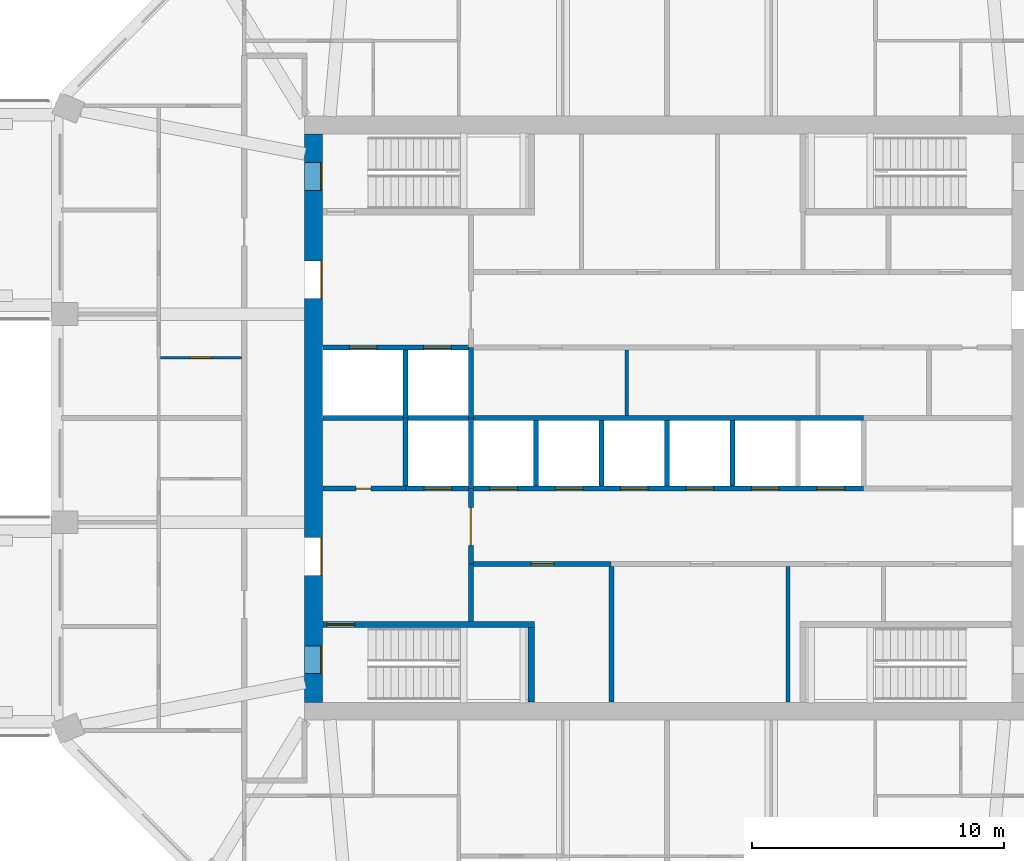
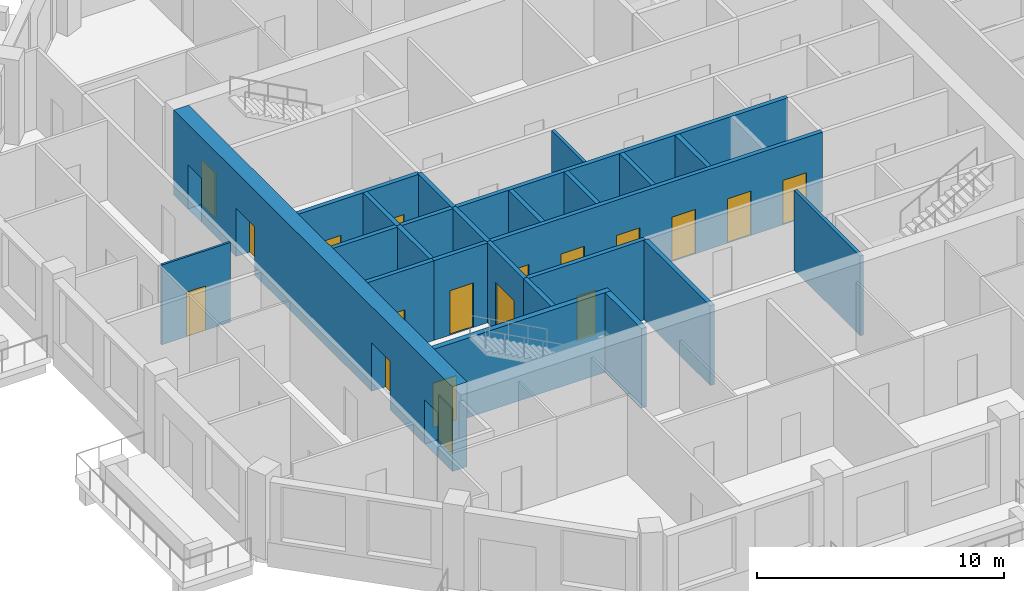
# One storey, part 4 of 12: 22 walls, 18 doors, 18 openings.
"""IFC4 building model written with IfcOpenShell, lengths in metres."""

from ifc_helpers import new_model, si_unit, direction, frame, frame_2d, origin, place, context, subcontext, project, spatial, rectangle, extrude, material, layer, layer_set, type_object, element, fill, save


model = new_model("IFC4")

# Units and contexts
model_context = context("Model", 3, precision=1e-05, world=origin(), true_north=direction((0.0, 1.0)))
body_context = subcontext(model_context, "Body", "Model", "MODEL_VIEW")
ifc_project = project(units=[si_unit("LENGTHUNIT", "METRE"), si_unit("AREAUNIT", "SQUARE_METRE"), si_unit("VOLUMEUNIT", "CUBIC_METRE"), si_unit("PLANEANGLEUNIT", "RADIAN"), si_unit("MASSUNIT", "GRAM", prefix="KILO")], contexts=[model_context])

# Site, building, storey
site_placement = place(None, origin())
site = spatial("IfcSite", under=ifc_project, at=site_placement, CompositionType="ELEMENT")
building_placement = place(site_placement, origin())
building = spatial("IfcBuilding", under=site, at=building_placement, Name="Msitu Wima Residences", CompositionType="ELEMENT")
storey_placement = place(building_placement, frame((0.0, 0.0, 166.5)))
storey = spatial("IfcBuildingStorey", under=building, at=storey_placement, Name="L38", CompositionType="ELEMENT", Elevation=166.5)

# Wall, openings, doors
ifc_material_1 = material(Name="Concrete C60/75", Category="concrete")
ifc_layer_1 = layer(ifc_material_1, 0.699951171875)
ifc_layer_set_1 = layer_set([ifc_layer_1], Name="Concrete C60/75")
wall_type_1 = type_object("IfcWallType", Name="Core wall CW700 C60/75", PredefinedType="SHEAR", material=ifc_layer_set_1)
wall_1_placement = place(storey_placement, frame((-14.050048828125, -11.300048828125, 0.0), z_axis=(0.0, 0.0, 1.0), x_axis=(0.0, 1.0, 0.0)))
wall_1 = element("IfcWall", 1, at=wall_1_placement, inside=storey, type_object=wall_type_1, Name="Core wall", PredefinedType="SHEAR", context=body_context, shape_type="SweptSolid", body=[
    extrude(rectangle(XDim=22.60009765625, YDim=0.699951171875, at=frame_2d((11.300048828125, 0.0))), origin(), (0.0, 0.0, 1.0), 4.199951171875),
])
opening_1_placement = place(wall_1_placement, frame((20.35009765625, 0.0, 0.0)))
opening_1 = element("IfcOpeningElement", 2, at=opening_1_placement, cuts=wall_1, Name="Opening D38-39.080", PredefinedType="OPENING", context=body_context, shape_type="SweptSolid", body=[
    extrude(rectangle(XDim=1.10009765625, YDim=2.199951171875, at=frame_2d((0.550048828125, 1.10009765625))), frame((0.0, 0.35986328125, 0.0), z_axis=(0.0, -1.0, 0.0), x_axis=(1.0, 0.0, 0.0)), (0.0, 0.0, 1.0), 0.719970703125),
])
opening_2_placement = place(wall_1_placement, frame((1.14990234375, 0.0, 0.0)))
opening_2 = element("IfcOpeningElement", 3, at=opening_2_placement, cuts=wall_1, Name="Opening D38-39.082", PredefinedType="OPENING", context=body_context, shape_type="SweptSolid", body=[
    extrude(rectangle(XDim=1.10009765625, YDim=2.199951171875, at=frame_2d((0.550048828125, 1.10009765625))), frame((0.0, 0.35986328125, 0.0), z_axis=(0.0, -1.0, 0.0), x_axis=(1.0, 0.0, 0.0)), (0.0, 0.0, 1.0), 0.719970703125),
])
opening_3_placement = place(wall_1_placement, frame((16.050048828125, 0.0, 0.0)))
opening_3 = element("IfcOpeningElement", 4, at=opening_3_placement, cuts=wall_1, Name="Opening D38-39.060", PredefinedType="OPENING", context=body_context, shape_type="SweptSolid", body=[
    extrude(rectangle(XDim=1.5, YDim=2.39990234375, at=frame_2d((0.75, 1.199951171875))), frame((0.0, 0.35986328125, 0.0), z_axis=(0.0, -1.0, 0.0), x_axis=(1.0, 0.0, 0.0)), (0.0, 0.0, 1.0), 0.719970703125),
])
opening_4_placement = place(wall_1_placement, frame((5.050048828125, 0.0, 0.0)))
opening_4 = element("IfcOpeningElement", 5, at=opening_4_placement, cuts=wall_1, Name="Opening D38-39.062", PredefinedType="OPENING", context=body_context, shape_type="SweptSolid", body=[
    extrude(rectangle(XDim=1.5, YDim=2.39990234375, at=frame_2d((0.75, 1.199951171875))), frame((0.0, 0.35986328125, 0.0), z_axis=(0.0, -1.0, 0.0), x_axis=(1.0, 0.0, 0.0)), (0.0, 0.0, 1.0), 0.719970703125),
])
ifc_material_2 = material(Name="Steel framed glazed door, fire resisting", Category="steel")
door_type_1 = type_object("IfcDoorType", Name="Lobby door D07 1500x2400", OperationType="DOUBLE_DOOR_SINGLE_SWING", PredefinedType="DOOR", material=ifc_material_2)
door_1_placement = place(opening_3_placement, origin())
door_1 = element("IfcDoor", 6, at=door_1_placement, inside=storey, type_object=door_type_1, Name="Lobby door", OperationType="DOUBLE_DOOR_SINGLE_SWING", OverallHeight=2.39990234375, OverallWidth=1.5, PredefinedType="DOOR", context=body_context, shape_type="SweptSolid", body=[
    extrude(rectangle(XDim=1.5, YDim=2.39990234375, at=frame_2d((0.75, 1.199951171875))), frame((0.0, -0.294921875, 0.0), z_axis=(0.0, -1.0, 0.0), x_axis=(1.0, 0.0, 0.0)), (0.0, 0.0, 1.0), 0.050048828125),
])
fill(opening_3, door_1)
door_2_placement = place(opening_4_placement, origin())
door_2 = element("IfcDoor", 7, at=door_2_placement, inside=storey, type_object=door_type_1, Name="Lobby door", OperationType="DOUBLE_DOOR_SINGLE_SWING", OverallHeight=2.39990234375, OverallWidth=1.5, PredefinedType="DOOR", context=body_context, shape_type="SweptSolid", body=[
    extrude(rectangle(XDim=1.5, YDim=2.39990234375, at=frame_2d((0.75, 1.199951171875))), frame((0.0, -0.294921875, 0.0), z_axis=(0.0, -1.0, 0.0), x_axis=(1.0, 0.0, 0.0)), (0.0, 0.0, 1.0), 0.050048828125),
])
fill(opening_4, door_2)
ifc_material_3 = material(Name="Steel door, fire resisting, panic bar", Category="steel")
door_type_2 = type_object("IfcDoorType", Name="Stair door D06 1100x2200", OperationType="SINGLE_SWING_LEFT", PredefinedType="DOOR", material=ifc_material_3)
door_3_placement = place(opening_1_placement, origin())
door_3 = element("IfcDoor", 8, at=door_3_placement, inside=storey, type_object=door_type_2, Name="Stair door", OperationType="SINGLE_SWING_RIGHT", OverallHeight=2.199951171875, OverallWidth=1.10009765625, PredefinedType="DOOR", context=body_context, shape_type="SweptSolid", body=[
    extrude(rectangle(XDim=1.10009765625, YDim=2.199951171875, at=frame_2d((0.550048828125, 1.10009765625))), frame((0.0, -0.294921875, 0.0), z_axis=(0.0, -1.0, 0.0), x_axis=(1.0, 0.0, 0.0)), (0.0, 0.0, 1.0), 0.050048828125),
])
fill(opening_1, door_3)
door_4_placement = place(opening_2_placement, origin())
door_4 = element("IfcDoor", 9, at=door_4_placement, inside=storey, type_object=door_type_2, Name="Stair door", OperationType="SINGLE_SWING_LEFT", OverallHeight=2.199951171875, OverallWidth=1.10009765625, PredefinedType="DOOR", context=body_context, shape_type="SweptSolid", body=[
    extrude(rectangle(XDim=1.10009765625, YDim=2.199951171875, at=frame_2d((0.550048828125, 1.10009765625))), frame((0.0, -0.294921875, 0.0), z_axis=(0.0, -1.0, 0.0), x_axis=(1.0, 0.0, 0.0)), (0.0, 0.0, 1.0), 0.050048828125),
])
fill(opening_2, door_4)

# Wall, opening, door
ifc_material_4 = material(Name="Plaster")
ifc_layer_2 = layer(ifc_material_4, 0.011962890625, Name="Plaster")
ifc_material_5 = material(Name="Concrete blockwork", Category="masonry")
ifc_layer_3 = layer(ifc_material_5, 0.176025390625, Name="Concrete blockwork")
ifc_layer_4 = layer(ifc_material_4, 0.011962890625, Name="Plaster")
ifc_layer_set_2 = layer_set([ifc_layer_2, ifc_layer_3, ifc_layer_4], Name="Concrete blockwork")
wall_type_2 = type_object("IfcWallType", Name="Corridor wall FW200", PredefinedType="PARTITIONING", material=ifc_layer_set_2)
wall_2_placement = place(storey_placement, frame((-7.800048828125, -5.800048828125, 0.0), z_axis=(0.0, 0.0, 1.0), x_axis=(0.0, 1.0, 0.0)))
wall_2 = element("IfcWall", 10, at=wall_2_placement, inside=storey, type_object=wall_type_2, Name="Corridor wall", PredefinedType="PARTITIONING", context=body_context, shape_type="SweptSolid", body=[
    extrude(rectangle(XDim=3.0, YDim=0.199951171875, at=frame_2d((1.5, 0.0))), origin(), (0.0, 0.0, 1.0), 3.949951171875),
])
opening_5_placement = place(wall_2_placement, frame((0.75, 0.0, 0.0)))
opening_5 = element("IfcOpeningElement", 11, at=opening_5_placement, cuts=wall_2, Name="Opening D38-39.063", PredefinedType="OPENING", context=body_context, shape_type="SweptSolid", body=[
    extrude(rectangle(XDim=1.5, YDim=2.39990234375, at=frame_2d((0.75, 1.199951171875))), frame((0.0, 0.10986328125, 0.0), z_axis=(0.0, -1.0, 0.0), x_axis=(1.0, 0.0, 0.0)), (0.0, 0.0, 1.0), 0.219970703125),
])
door_5_placement = place(opening_5_placement, origin())
door_5 = element("IfcDoor", 12, at=door_5_placement, inside=storey, type_object=door_type_1, Name="Lobby door", OperationType="DOUBLE_DOOR_SINGLE_SWING", OverallHeight=2.39990234375, OverallWidth=1.5, PredefinedType="DOOR", context=body_context, shape_type="SweptSolid", body=[
    extrude(rectangle(XDim=1.5, YDim=2.39990234375, at=frame_2d((0.75, 1.199951171875))), frame((0.0, 0.02490234375, 0.0), z_axis=(0.0, -1.0, 0.0), x_axis=(1.0, 0.0, 0.0)), (0.0, 0.0, 1.0), 0.050048828125),
])
fill(opening_5, door_5)

# Walls
ifc_layer_5 = layer(ifc_material_4, 0.011962890625, Name="Plaster")
ifc_layer_6 = layer(ifc_material_5, 0.1259765625, Name="Concrete blockwork")
ifc_layer_7 = layer(ifc_material_4, 0.011962890625, Name="Plaster")
ifc_layer_set_3 = layer_set([ifc_layer_5, ifc_layer_6, ifc_layer_7], Name="Concrete blockwork")
wall_type_3 = type_object("IfcWallType", Name="Partition PW150", PredefinedType="PARTITIONING", material=ifc_layer_set_3)
wall_3_placement = place(storey_placement, frame((-1.60009765625, 0.10009765625, 0.0), z_axis=(0.0, 0.0, 1.0), x_axis=(0.0, 1.0, 0.0)))
element("IfcWall", 13, at=wall_3_placement, inside=storey, type_object=wall_type_3, Name="Partition", PredefinedType="PARTITIONING", context=body_context, shape_type="SweptSolid", body=[
    extrude(rectangle(XDim=2.599853515625, YDim=0.14990234375, at=frame_2d((1.2998046875, 0.0))), origin(), (0.0, 0.0, 1.0), 3.949951171875),
])
wall_4_placement = place(storey_placement, frame((4.800048828125, -11.27001953125, 0.0), z_axis=(0.0, 0.0, 1.0), x_axis=(0.0, 1.0, 0.0)))
element("IfcWall", 14, at=wall_4_placement, inside=storey, type_object=wall_type_3, Name="Partition", PredefinedType="PARTITIONING", context=body_context, shape_type="SweptSolid", body=[
    extrude(rectangle(XDim=5.3701171875, YDim=0.14990234375, at=frame_2d((2.68505859375, 0.0))), origin(), (0.0, 0.0, 1.0), 3.949951171875),
])

# Wall, opening, door
ifc_layer_8 = layer(ifc_material_4, 0.011962890625, Name="Plaster")
ifc_material_6 = material(Name="Reinforced concrete blockwork", Category="masonry")
ifc_layer_9 = layer(ifc_material_6, 0.176025390625, Name="Reinforced concrete blockwork")
ifc_layer_10 = layer(ifc_material_4, 0.011962890625, Name="Plaster")
ifc_layer_set_4 = layer_set([ifc_layer_8, ifc_layer_9, ifc_layer_10], Name="Reinforced concrete blockwork")
wall_type_4 = type_object("IfcWallType", Name="Plant and riser wall PL200", PredefinedType="PARTITIONING", material=ifc_layer_set_4)
wall_5_placement = place(storey_placement, frame((-13.669921875, -2.800048828125, 0.0), z_axis=(0.0, 0.0, 1.0), x_axis=(1.0, 0.0, 0.0)))
wall_5 = element("IfcWall", 15, at=wall_5_placement, inside=storey, type_object=wall_type_4, Name="Plant and riser wall", PredefinedType="PARTITIONING", context=body_context, shape_type="SweptSolid", body=[
    extrude(rectangle(XDim=3.27001953125, YDim=0.199951171875, at=frame_2d((1.635009765625, 0.0))), origin(), (0.0, 0.0, 1.0), 3.949951171875),
])
opening_6_placement = place(wall_5_placement, frame((1.300048828125, 0.0, 0.0)))
opening_6 = element("IfcOpeningElement", 16, at=opening_6_placement, cuts=wall_5, Name="Opening D38-39.079", PredefinedType="OPENING", context=body_context, shape_type="SweptSolid", body=[
    extrude(rectangle(XDim=0.60009765625, YDim=2.0, at=frame_2d((0.300048828125, 1.0))), frame((0.0, 0.10986328125, 0.0), z_axis=(0.0, -1.0, 0.0), x_axis=(1.0, 0.0, 0.0)), (0.0, 0.0, 1.0), 0.219970703125),
])
ifc_material_7 = material(Name="Steel access door, fire resisting", Category="steel")
door_type_3 = type_object("IfcDoorType", Name="Riser access door D08 600x2000", OperationType="SINGLE_SWING_LEFT", PredefinedType="DOOR", material=ifc_material_7)
door_6_placement = place(opening_6_placement, origin())
door_6 = element("IfcDoor", 17, at=door_6_placement, inside=storey, type_object=door_type_3, Name="Riser access door", OperationType="SINGLE_SWING_RIGHT", OverallHeight=2.0, OverallWidth=0.60009765625, PredefinedType="DOOR", context=body_context, shape_type="SweptSolid", body=[
    extrude(rectangle(XDim=0.60009765625, YDim=2.0, at=frame_2d((0.300048828125, 1.0))), frame((0.0, 0.02490234375, 0.0), z_axis=(0.0, -1.0, 0.0), x_axis=(1.0, 0.0, 0.0)), (0.0, 0.0, 1.0), 0.050048828125),
])
fill(opening_6, door_6)

# Wall
wall_6_placement = place(storey_placement, frame((-7.800048828125, -8.074951171875, 0.0), z_axis=(0.0, 0.0, 1.0), x_axis=(0.0, 1.0, 0.0)))
element("IfcWall", 18, at=wall_6_placement, inside=storey, type_object=wall_type_4, Name="Plant and riser wall", PredefinedType="PARTITIONING", context=body_context, shape_type="SweptSolid", body=[
    extrude(rectangle(XDim=2.27490234375, YDim=0.199951171875, at=frame_2d((1.137451171875, 0.0))), origin(), (0.0, 0.0, 1.0), 3.949951171875),
])

# Wall, opening, door
wall_7_placement = place(storey_placement, frame((-7.699951171875, -5.800048828125, 0.0), z_axis=(0.0, 0.0, 1.0), x_axis=(1.0, 0.0, 0.0)))
wall_7 = element("IfcWall", 19, at=wall_7_placement, inside=storey, type_object=wall_type_4, Name="Plant and riser wall", PredefinedType="PARTITIONING", context=body_context, shape_type="SweptSolid", body=[
    extrude(rectangle(XDim=5.47998046875, YDim=0.199951171875, at=frame_2d((2.739990234375, 0.0))), origin(), (0.0, 0.0, 1.0), 3.949951171875),
])
opening_7_placement = place(wall_7_placement, frame((2.300048828125, 0.0, 0.0)))
opening_7 = element("IfcOpeningElement", 20, at=opening_7_placement, cuts=wall_7, Name="Opening D38-39.069", PredefinedType="OPENING", context=body_context, shape_type="SweptSolid", body=[
    extrude(rectangle(XDim=0.89990234375, YDim=2.199951171875, at=frame_2d((0.449951171875, 1.10009765625))), frame((0.0, 0.10986328125, 0.0), z_axis=(0.0, -1.0, 0.0), x_axis=(1.0, 0.0, 0.0)), (0.0, 0.0, 1.0), 0.219970703125),
])
ifc_material_8 = material(Name="Timber flush door", Category="wood")
door_type_4 = type_object("IfcDoorType", Name="Service door D05 900x2200", OperationType="SINGLE_SWING_LEFT", PredefinedType="DOOR", material=ifc_material_8)
door_7_placement = place(opening_7_placement, origin())
door_7 = element("IfcDoor", 21, at=door_7_placement, inside=storey, type_object=door_type_4, Name="Service door", OperationType="SINGLE_SWING_LEFT", OverallHeight=2.199951171875, OverallWidth=0.89990234375, PredefinedType="DOOR", context=body_context, shape_type="SweptSolid", body=[
    extrude(rectangle(XDim=0.89990234375, YDim=2.199951171875, at=frame_2d((0.449951171875, 1.10009765625))), frame((0.0, 0.02490234375, 0.0), z_axis=(0.0, -1.0, 0.0), x_axis=(1.0, 0.0, 0.0)), (0.0, 0.0, 1.0), 0.050048828125),
])
fill(opening_7, door_7)

# Walls
wall_8_placement = place(storey_placement, frame((-2.199951171875, -11.27001953125, 0.0), z_axis=(0.0, 0.0, 1.0), x_axis=(0.0, 1.0, 0.0)))
element("IfcWall", 22, at=wall_8_placement, inside=storey, type_object=wall_type_4, Name="Plant and riser wall", PredefinedType="PARTITIONING", context=body_context, shape_type="SweptSolid", body=[
    extrude(rectangle(XDim=5.3701171875, YDim=0.199951171875, at=frame_2d((2.68505859375, 0.0))), origin(), (0.0, 0.0, 1.0), 3.949951171875),
])
ifc_material_9 = material(Name="Fire-rated board")
ifc_layer_11 = layer(ifc_material_9, 0.02490234375, Name="Fire-rated board")
ifc_material_10 = material(Name="Light-gauge stud framing with mineral wool")
ifc_layer_12 = layer(ifc_material_10, 0.14990234375, Name="Light-gauge stud framing with mineral wool")
ifc_layer_13 = layer(ifc_material_9, 0.02490234375, Name="Fire-rated board")
ifc_layer_set_5 = layer_set([ifc_layer_11, ifc_layer_12, ifc_layer_13], Name="Light-gauge stud framing with mineral wool")
wall_type_5 = type_object("IfcWallType", Name="Shaft wall SH200", PredefinedType="PARTITIONING", material=ifc_layer_set_5)
wall_9_placement = place(storey_placement, frame((-13.669921875, 0.0, 0.0), z_axis=(0.0, 0.0, 1.0), x_axis=(1.0, 0.0, 0.0)))
element("IfcWall", 23, at=wall_9_placement, inside=storey, type_object=wall_type_5, Name="Shaft wall", PredefinedType="PARTITIONING", context=body_context, shape_type="SweptSolid", body=[
    extrude(rectangle(XDim=21.469970703125, YDim=0.199951171875, at=frame_2d((10.73486328125, 0.0))), origin(), (0.0, 0.0, 1.0), 3.949951171875),
])

# Wall, openings, doors
wall_10_placement = place(storey_placement, frame((-13.669921875, 2.800048828125, 0.0), z_axis=(0.0, 0.0, 1.0), x_axis=(1.0, 0.0, 0.0)))
wall_10 = element("IfcWall", 24, at=wall_10_placement, inside=storey, type_object=wall_type_5, Name="Shaft wall", PredefinedType="PARTITIONING", context=body_context, shape_type="SweptSolid", body=[
    extrude(rectangle(XDim=5.849853515625, YDim=0.199951171875, at=frame_2d((2.9248046875, 0.0))), origin(), (0.0, 0.0, 1.0), 3.949951171875),
])
opening_8_placement = place(wall_10_placement, frame((1.050048828125, 0.0, 0.0)))
opening_8 = element("IfcOpeningElement", 25, at=opening_8_placement, cuts=wall_10, Name="Opening LD", PredefinedType="OPENING", context=body_context, shape_type="SweptSolid", body=[
    extrude(rectangle(XDim=1.10009765625, YDim=2.199951171875, at=frame_2d((0.550048828125, 1.10009765625))), frame((0.0, 0.10986328125, 0.0), z_axis=(0.0, -1.0, 0.0), x_axis=(1.0, 0.0, 0.0)), (0.0, 0.0, 1.0), 0.219970703125),
])
opening_9_placement = place(wall_10_placement, frame((4.0, 0.0, 0.0)))
opening_9 = element("IfcOpeningElement", 26, at=opening_9_placement, cuts=wall_10, Name="Opening LD", PredefinedType="OPENING", context=body_context, shape_type="SweptSolid", body=[
    extrude(rectangle(XDim=1.10009765625, YDim=2.199951171875, at=frame_2d((0.550048828125, 1.10009765625))), frame((0.0, 0.10986328125, 0.0), z_axis=(0.0, -1.0, 0.0), x_axis=(1.0, 0.0, 0.0)), (0.0, 0.0, 1.0), 0.219970703125),
])
ifc_material_11 = material(Name="Stainless steel centre-opening landing door, rated", Category="steel")
door_type_5 = type_object("IfcDoorType", Name="Lift landing door LD 1100x2200", OperationType="DOUBLE_DOOR_SLIDING", PredefinedType="DOOR", material=ifc_material_11)
door_8_placement = place(opening_8_placement, origin())
door_8 = element("IfcDoor", 27, at=door_8_placement, inside=storey, type_object=door_type_5, Name="Lift landing door LD1", OperationType="DOUBLE_DOOR_SLIDING", OverallHeight=2.199951171875, OverallWidth=1.10009765625, PredefinedType="DOOR", context=body_context, shape_type="SweptSolid", body=[
    extrude(rectangle(XDim=1.10009765625, YDim=2.199951171875, at=frame_2d((0.550048828125, 1.10009765625))), frame((0.0, 0.02490234375, 0.0), z_axis=(0.0, -1.0, 0.0), x_axis=(1.0, 0.0, 0.0)), (0.0, 0.0, 1.0), 0.050048828125),
])
fill(opening_8, door_8)
door_9_placement = place(opening_9_placement, origin())
door_9 = element("IfcDoor", 28, at=door_9_placement, inside=storey, type_object=door_type_5, Name="Lift landing door LD2", OperationType="DOUBLE_DOOR_SLIDING", OverallHeight=2.199951171875, OverallWidth=1.10009765625, PredefinedType="DOOR", context=body_context, shape_type="SweptSolid", body=[
    extrude(rectangle(XDim=1.10009765625, YDim=2.199951171875, at=frame_2d((0.550048828125, 1.10009765625))), frame((0.0, 0.02490234375, 0.0), z_axis=(0.0, -1.0, 0.0), x_axis=(1.0, 0.0, 0.0)), (0.0, 0.0, 1.0), 0.050048828125),
])
fill(opening_9, door_9)

# Wall
wall_11_placement = place(storey_placement, frame((-10.39990234375, -2.699951171875, 0.0), z_axis=(0.0, 0.0, 1.0), x_axis=(0.0, 1.0, 0.0)))
element("IfcWall", 29, at=wall_11_placement, inside=storey, type_object=wall_type_5, Name="Shaft wall", PredefinedType="PARTITIONING", context=body_context, shape_type="SweptSolid", body=[
    extrude(rectangle(XDim=2.699951171875, YDim=0.199951171875, at=frame_2d((1.35009765625, 0.0))), origin(), (0.0, 0.0, 1.0), 3.949951171875),
])

# Wall, openings, doors
wall_12_placement = place(storey_placement, frame((-10.39990234375, -2.800048828125, 0.0), z_axis=(0.0, 0.0, 1.0), x_axis=(1.0, 0.0, 0.0)))
wall_12 = element("IfcWall", 30, at=wall_12_placement, inside=storey, type_object=wall_type_5, Name="Shaft wall", PredefinedType="PARTITIONING", context=body_context, shape_type="SweptSolid", body=[
    extrude(rectangle(XDim=18.199951171875, YDim=0.199951171875, at=frame_2d((9.10009765625, 0.0))), origin(), (0.0, 0.0, 1.0), 3.949951171875),
])
opening_10_placement = place(wall_12_placement, frame((0.75, 0.0, 0.0)))
opening_10 = element("IfcOpeningElement", 31, at=opening_10_placement, cuts=wall_12, Name="Opening LD", PredefinedType="OPENING", context=body_context, shape_type="SweptSolid", body=[
    extrude(rectangle(XDim=1.10009765625, YDim=2.199951171875, at=frame_2d((0.550048828125, 1.10009765625))), frame((0.0, 0.10986328125, 0.0), z_axis=(0.0, -1.0, 0.0), x_axis=(1.0, 0.0, 0.0)), (0.0, 0.0, 1.0), 0.219970703125),
])
opening_11_placement = place(wall_12_placement, frame((3.35009765625, 0.0, 0.0)))
opening_11 = element("IfcOpeningElement", 32, at=opening_11_placement, cuts=wall_12, Name="Opening LD", PredefinedType="OPENING", context=body_context, shape_type="SweptSolid", body=[
    extrude(rectangle(XDim=1.10009765625, YDim=2.199951171875, at=frame_2d((0.550048828125, 1.10009765625))), frame((0.0, 0.10986328125, 0.0), z_axis=(0.0, -1.0, 0.0), x_axis=(1.0, 0.0, 0.0)), (0.0, 0.0, 1.0), 0.219970703125),
])
opening_12_placement = place(wall_12_placement, frame((5.949951171875, 0.0, 0.0)))
opening_12 = element("IfcOpeningElement", 33, at=opening_12_placement, cuts=wall_12, Name="Opening LD", PredefinedType="OPENING", context=body_context, shape_type="SweptSolid", body=[
    extrude(rectangle(XDim=1.10009765625, YDim=2.199951171875, at=frame_2d((0.550048828125, 1.10009765625))), frame((0.0, 0.10986328125, 0.0), z_axis=(0.0, -1.0, 0.0), x_axis=(1.0, 0.0, 0.0)), (0.0, 0.0, 1.0), 0.219970703125),
])
opening_13_placement = place(wall_12_placement, frame((8.550048828125, 0.0, 0.0)))
opening_13 = element("IfcOpeningElement", 34, at=opening_13_placement, cuts=wall_12, Name="Opening LD", PredefinedType="OPENING", context=body_context, shape_type="SweptSolid", body=[
    extrude(rectangle(XDim=1.10009765625, YDim=2.199951171875, at=frame_2d((0.550048828125, 1.10009765625))), frame((0.0, 0.10986328125, 0.0), z_axis=(0.0, -1.0, 0.0), x_axis=(1.0, 0.0, 0.0)), (0.0, 0.0, 1.0), 0.219970703125),
])
opening_14_placement = place(wall_12_placement, frame((11.14990234375, 0.0, 0.0)))
opening_14 = element("IfcOpeningElement", 35, at=opening_14_placement, cuts=wall_12, Name="Opening LD", PredefinedType="OPENING", context=body_context, shape_type="SweptSolid", body=[
    extrude(rectangle(XDim=1.10009765625, YDim=2.199951171875, at=frame_2d((0.550048828125, 1.10009765625))), frame((0.0, 0.10986328125, 0.0), z_axis=(0.0, -1.0, 0.0), x_axis=(1.0, 0.0, 0.0)), (0.0, 0.0, 1.0), 0.219970703125),
])
opening_15_placement = place(wall_12_placement, frame((13.75, 0.0, 0.0)))
opening_15 = element("IfcOpeningElement", 36, at=opening_15_placement, cuts=wall_12, Name="Opening LD", PredefinedType="OPENING", context=body_context, shape_type="SweptSolid", body=[
    extrude(rectangle(XDim=1.10009765625, YDim=2.199951171875, at=frame_2d((0.550048828125, 1.10009765625))), frame((0.0, 0.10986328125, 0.0), z_axis=(0.0, -1.0, 0.0), x_axis=(1.0, 0.0, 0.0)), (0.0, 0.0, 1.0), 0.219970703125),
])
opening_16_placement = place(wall_12_placement, frame((16.35009765625, 0.0, 0.0)))
opening_16 = element("IfcOpeningElement", 37, at=opening_16_placement, cuts=wall_12, Name="Opening LD", PredefinedType="OPENING", context=body_context, shape_type="SweptSolid", body=[
    extrude(rectangle(XDim=1.10009765625, YDim=2.199951171875, at=frame_2d((0.550048828125, 1.10009765625))), frame((0.0, 0.10986328125, 0.0), z_axis=(0.0, -1.0, 0.0), x_axis=(1.0, 0.0, 0.0)), (0.0, 0.0, 1.0), 0.219970703125),
])
door_10_placement = place(opening_10_placement, origin())
door_10 = element("IfcDoor", 38, at=door_10_placement, inside=storey, type_object=door_type_5, Name="Lift landing door LD3", OperationType="DOUBLE_DOOR_SLIDING", OverallHeight=2.199951171875, OverallWidth=1.10009765625, PredefinedType="DOOR", context=body_context, shape_type="SweptSolid", body=[
    extrude(rectangle(XDim=1.10009765625, YDim=2.199951171875, at=frame_2d((0.550048828125, 1.10009765625))), frame((0.0, 0.02490234375, 0.0), z_axis=(0.0, -1.0, 0.0), x_axis=(1.0, 0.0, 0.0)), (0.0, 0.0, 1.0), 0.050048828125),
])
fill(opening_10, door_10)
door_11_placement = place(opening_11_placement, origin())
door_11 = element("IfcDoor", 39, at=door_11_placement, inside=storey, type_object=door_type_5, Name="Lift landing door LD5", OperationType="DOUBLE_DOOR_SLIDING", OverallHeight=2.199951171875, OverallWidth=1.10009765625, PredefinedType="DOOR", context=body_context, shape_type="SweptSolid", body=[
    extrude(rectangle(XDim=1.10009765625, YDim=2.199951171875, at=frame_2d((0.550048828125, 1.10009765625))), frame((0.0, 0.02490234375, 0.0), z_axis=(0.0, -1.0, 0.0), x_axis=(1.0, 0.0, 0.0)), (0.0, 0.0, 1.0), 0.050048828125),
])
fill(opening_11, door_11)
door_12_placement = place(opening_12_placement, origin())
door_12 = element("IfcDoor", 40, at=door_12_placement, inside=storey, type_object=door_type_5, Name="Lift landing door LD7", OperationType="DOUBLE_DOOR_SLIDING", OverallHeight=2.199951171875, OverallWidth=1.10009765625, PredefinedType="DOOR", context=body_context, shape_type="SweptSolid", body=[
    extrude(rectangle(XDim=1.10009765625, YDim=2.199951171875, at=frame_2d((0.550048828125, 1.10009765625))), frame((0.0, 0.02490234375, 0.0), z_axis=(0.0, -1.0, 0.0), x_axis=(1.0, 0.0, 0.0)), (0.0, 0.0, 1.0), 0.050048828125),
])
fill(opening_12, door_12)
door_13_placement = place(opening_13_placement, origin())
door_13 = element("IfcDoor", 41, at=door_13_placement, inside=storey, type_object=door_type_5, Name="Lift landing door LD9", OperationType="DOUBLE_DOOR_SLIDING", OverallHeight=2.199951171875, OverallWidth=1.10009765625, PredefinedType="DOOR", context=body_context, shape_type="SweptSolid", body=[
    extrude(rectangle(XDim=1.10009765625, YDim=2.199951171875, at=frame_2d((0.550048828125, 1.10009765625))), frame((0.0, 0.02490234375, 0.0), z_axis=(0.0, -1.0, 0.0), x_axis=(1.0, 0.0, 0.0)), (0.0, 0.0, 1.0), 0.050048828125),
])
fill(opening_13, door_13)
door_14_placement = place(opening_14_placement, origin())
door_14 = element("IfcDoor", 42, at=door_14_placement, inside=storey, type_object=door_type_5, Name="Lift landing door LD11", OperationType="DOUBLE_DOOR_SLIDING", OverallHeight=2.199951171875, OverallWidth=1.10009765625, PredefinedType="DOOR", context=body_context, shape_type="SweptSolid", body=[
    extrude(rectangle(XDim=1.10009765625, YDim=2.199951171875, at=frame_2d((0.550048828125, 1.10009765625))), frame((0.0, 0.02490234375, 0.0), z_axis=(0.0, -1.0, 0.0), x_axis=(1.0, 0.0, 0.0)), (0.0, 0.0, 1.0), 0.050048828125),
])
fill(opening_14, door_14)
door_15_placement = place(opening_15_placement, origin())
door_15 = element("IfcDoor", 43, at=door_15_placement, inside=storey, type_object=door_type_5, Name="Lift landing door LD13", OperationType="DOUBLE_DOOR_SLIDING", OverallHeight=2.199951171875, OverallWidth=1.10009765625, PredefinedType="DOOR", context=body_context, shape_type="SweptSolid", body=[
    extrude(rectangle(XDim=1.10009765625, YDim=2.199951171875, at=frame_2d((0.550048828125, 1.10009765625))), frame((0.0, 0.02490234375, 0.0), z_axis=(0.0, -1.0, 0.0), x_axis=(1.0, 0.0, 0.0)), (0.0, 0.0, 1.0), 0.050048828125),
])
fill(opening_15, door_15)
door_16_placement = place(opening_16_placement, origin())
door_16 = element("IfcDoor", 44, at=door_16_placement, inside=storey, type_object=door_type_5, Name="Lift landing door LD15", OperationType="DOUBLE_DOOR_SLIDING", OverallHeight=2.199951171875, OverallWidth=1.10009765625, PredefinedType="DOOR", context=body_context, shape_type="SweptSolid", body=[
    extrude(rectangle(XDim=1.10009765625, YDim=2.199951171875, at=frame_2d((0.550048828125, 1.10009765625))), frame((0.0, 0.02490234375, 0.0), z_axis=(0.0, -1.0, 0.0), x_axis=(1.0, 0.0, 0.0)), (0.0, 0.0, 1.0), 0.050048828125),
])
fill(opening_16, door_16)

# Walls
wall_13_placement = place(storey_placement, frame((-10.39990234375, 0.0, 0.0), z_axis=(0.0, 0.0, 1.0), x_axis=(0.0, 1.0, 0.0)))
element("IfcWall", 45, at=wall_13_placement, inside=storey, type_object=wall_type_5, Name="Shaft wall", PredefinedType="PARTITIONING", context=body_context, shape_type="SweptSolid", body=[
    extrude(rectangle(XDim=2.699951171875, YDim=0.199951171875, at=frame_2d((1.35009765625, 0.0))), origin(), (0.0, 0.0, 1.0), 3.949951171875),
])
for number, where, z_axis, x_axis, name in (
    (46, (-7.800048828125, -2.800048828125, 0.0), (0.0, 0.0, 1.0), (0.0, 1.0, 0.0), "Shaft wall"),
    (47, (-7.800048828125, 0.0, 0.0), (0.0, 0.0, 1.0), (0.0, 1.0, 0.0), "Shaft wall"),
):
    element("IfcWall", number, at=place(storey_placement, frame(where, z_axis=z_axis, x_axis=x_axis)), inside=storey, type_object=wall_type_5, Name=name, PredefinedType="PARTITIONING", context=body_context, shape_type="SweptSolid", body=[
        extrude(rectangle(XDim=2.800048828125, YDim=0.199951171875, at=frame_2d((1.39990234375, 0.0))), origin(), (0.0, 0.0, 1.0), 3.949951171875),
    ])
for number, where, z_axis, x_axis, name in (
    (48, (-5.199951171875, -2.699951171875, 0.0), (0.0, 0.0, 1.0), (0.0, 1.0, 0.0), "Shaft wall"),
    (49, (-2.60009765625, -2.699951171875, 0.0), (0.0, 0.0, 1.0), (0.0, 1.0, 0.0), "Shaft wall"),
    (50, (0.0, -2.699951171875, 0.0), (0.0, 0.0, 1.0), (0.0, 1.0, 0.0), "Shaft wall"),
    (51, (2.60009765625, -2.699951171875, 0.0), (0.0, 0.0, 1.0), (0.0, 1.0, 0.0), "Shaft wall"),
):
    element("IfcWall", number, at=place(storey_placement, frame(where, z_axis=z_axis, x_axis=x_axis)), inside=storey, type_object=wall_type_5, Name=name, PredefinedType="PARTITIONING", context=body_context, shape_type="SweptSolid", body=[
        extrude(rectangle(XDim=2.599853515625, YDim=0.199951171875, at=frame_2d((1.2998046875, 0.0))), origin(), (0.0, 0.0, 1.0), 3.949951171875),
    ])

# Wall, opening, door
ifc_material_12 = material(Name="Concrete C50/60", Category="concrete")
ifc_layer_14 = layer(ifc_material_12, 0.25)
ifc_layer_set_6 = layer_set([ifc_layer_14], Name="Concrete C50/60")
wall_type_6 = type_object("IfcWallType", Name="Stair enclosure wall SW250", PredefinedType="SHEAR", material=ifc_layer_set_6)
wall_14_placement = place(storey_placement, frame((-13.669921875, -8.199951171875, 0.0), z_axis=(0.0, 0.0, 1.0), x_axis=(1.0, 0.0, 0.0)))
wall_14 = element("IfcWall", 52, at=wall_14_placement, inside=storey, type_object=wall_type_6, Name="Stair enclosure wall", PredefinedType="SHEAR", context=body_context, shape_type="SweptSolid", body=[
    extrude(rectangle(XDim=8.39501953125, YDim=0.25, at=frame_2d((4.197509765625, 0.0))), origin(), (0.0, 0.0, 1.0), 3.949951171875),
])
opening_17_placement = place(wall_14_placement, frame((0.14990234375, 0.0, 0.0)))
opening_17 = element("IfcOpeningElement", 53, at=opening_17_placement, cuts=wall_14, Name="Opening D38-39.083", PredefinedType="OPENING", context=body_context, shape_type="SweptSolid", body=[
    extrude(rectangle(XDim=1.10009765625, YDim=2.199951171875, at=frame_2d((0.550048828125, 1.10009765625))), frame((0.0, 0.135009765625, 0.0), z_axis=(0.0, -1.0, 0.0), x_axis=(1.0, 0.0, 0.0)), (0.0, 0.0, 1.0), 0.27001953125),
])
door_17_placement = place(opening_17_placement, origin())
door_17 = element("IfcDoor", 54, at=door_17_placement, inside=storey, type_object=door_type_2, Name="Stair door", OperationType="SINGLE_SWING_RIGHT", OverallHeight=2.199951171875, OverallWidth=1.10009765625, PredefinedType="DOOR", context=body_context, shape_type="SweptSolid", body=[
    extrude(rectangle(XDim=1.10009765625, YDim=2.199951171875, at=frame_2d((0.550048828125, 1.10009765625))), frame((0.0, 0.02490234375, 0.0), z_axis=(0.0, -1.0, 0.0), x_axis=(1.0, 0.0, 0.0)), (0.0, 0.0, 1.0), 0.050048828125),
])
fill(opening_17, door_17)

# Wall
wall_15_placement = place(storey_placement, frame((-5.39990234375, -11.27001953125, 0.0), z_axis=(0.0, 0.0, 1.0), x_axis=(0.0, 1.0, 0.0)))
element("IfcWall", 55, at=wall_15_placement, inside=storey, type_object=wall_type_6, Name="Stair enclosure wall", PredefinedType="SHEAR", context=body_context, shape_type="SweptSolid", body=[
    extrude(rectangle(XDim=2.945068359375, YDim=0.25, at=frame_2d((1.47265625, 0.0))), origin(), (0.0, 0.0, 1.0), 3.949951171875),
])

# Wall, opening, door
ifc_material_13 = material(Name="Ceramic tiles")
ifc_layer_15 = layer(ifc_material_13, 0.008056640625, Name="Ceramic tiles")
ifc_material_14 = material(Name="Moisture-resistant board")
ifc_layer_16 = layer(ifc_material_14, 0.012451171875, Name="Moisture-resistant board")
ifc_layer_17 = layer(ifc_material_10, 0.06689453125, Name="Light-gauge stud framing with mineral wool")
ifc_layer_18 = layer(ifc_material_14, 0.012451171875, Name="Moisture-resistant board")
ifc_layer_set_7 = layer_set([ifc_layer_15, ifc_layer_16, ifc_layer_17, ifc_layer_18], Name="Light-gauge stud framing with mineral wool")
wall_type_7 = type_object("IfcWallType", Name="Wet wall PW100", PredefinedType="PARTITIONING", material=ifc_layer_set_7)
wall_16_placement = place(storey_placement, frame((-20.125, 2.39990234375, 0.0), z_axis=(0.0, 0.0, 1.0), x_axis=(1.0, 0.0, 0.0)))
wall_16 = element("IfcWall", 56, at=wall_16_placement, inside=storey, type_object=wall_type_7, Name="Wet wall", PredefinedType="PARTITIONING", context=body_context, shape_type="SweptSolid", body=[
    extrude(rectangle(XDim=3.22509765625, YDim=0.10009765625, at=frame_2d((1.612548828125, 0.0))), origin(), (0.0, 0.0, 1.0), 3.949951171875),
])
opening_18_placement = place(wall_16_placement, frame((1.14990234375, 0.0, 0.0)))
opening_18 = element("IfcOpeningElement", 57, at=opening_18_placement, cuts=wall_16, Name="Opening D38-39.024", PredefinedType="OPENING", context=body_context, shape_type="SweptSolid", body=[
    extrude(rectangle(XDim=0.89990234375, YDim=2.199951171875, at=frame_2d((0.449951171875, 1.10009765625))), frame((0.0, 0.06005859375, 0.0), z_axis=(0.0, -1.0, 0.0), x_axis=(1.0, 0.0, 0.0)), (0.0, 0.0, 1.0), 0.1201171875),
])
ifc_material_15 = material(Name="Timber flush door, moisture resistant", Category="wood")
door_type_6 = type_object("IfcDoorType", Name="Bathroom door D03 900x2200", OperationType="SINGLE_SWING_LEFT", PredefinedType="DOOR", material=ifc_material_15)
door_18_placement = place(opening_18_placement, origin())
door_18 = element("IfcDoor", 58, at=door_18_placement, inside=storey, type_object=door_type_6, Name="Bathroom door", OperationType="SINGLE_SWING_RIGHT", OverallHeight=2.199951171875, OverallWidth=0.89990234375, PredefinedType="DOOR", context=body_context, shape_type="SweptSolid", body=[
    extrude(rectangle(XDim=0.89990234375, YDim=2.199951171875, at=frame_2d((0.449951171875, 1.10009765625))), frame((0.0, 0.02490234375, 0.0), z_axis=(0.0, -1.0, 0.0), x_axis=(1.0, 0.0, 0.0)), (0.0, 0.0, 1.0), 0.050048828125),
])
fill(opening_18, door_18)

save(model, "model.ifc")
